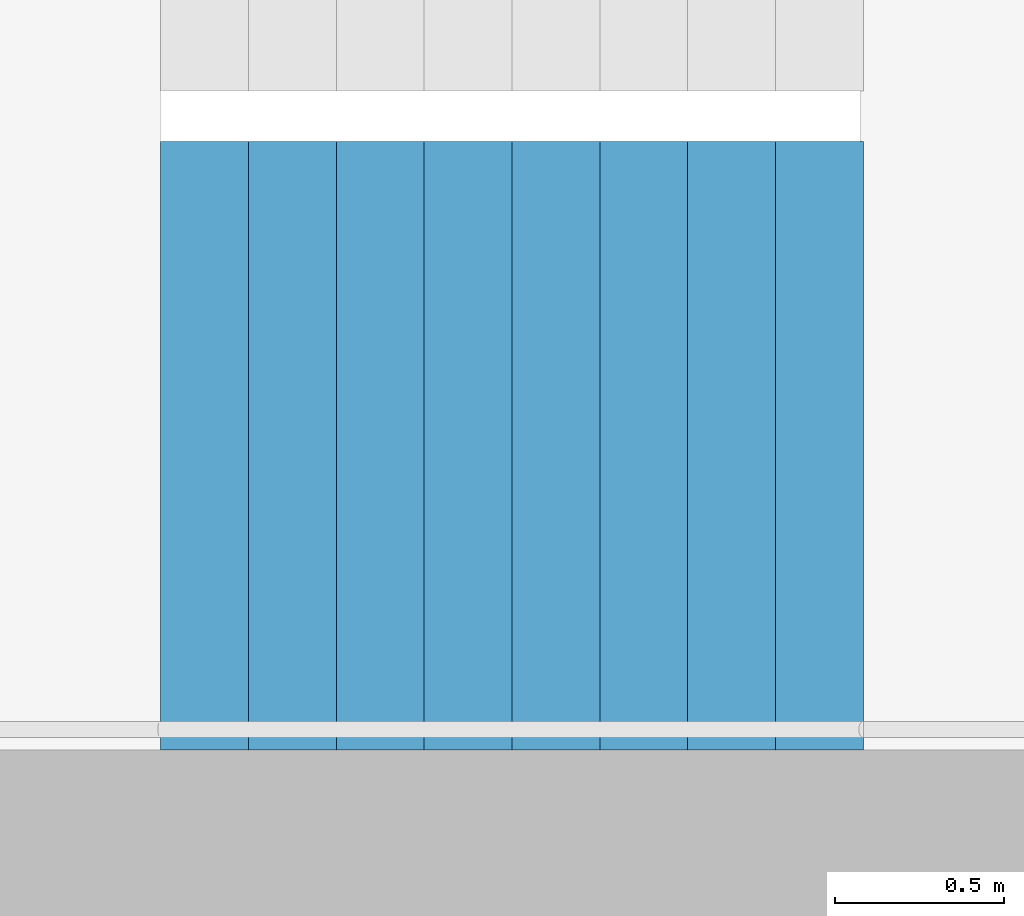
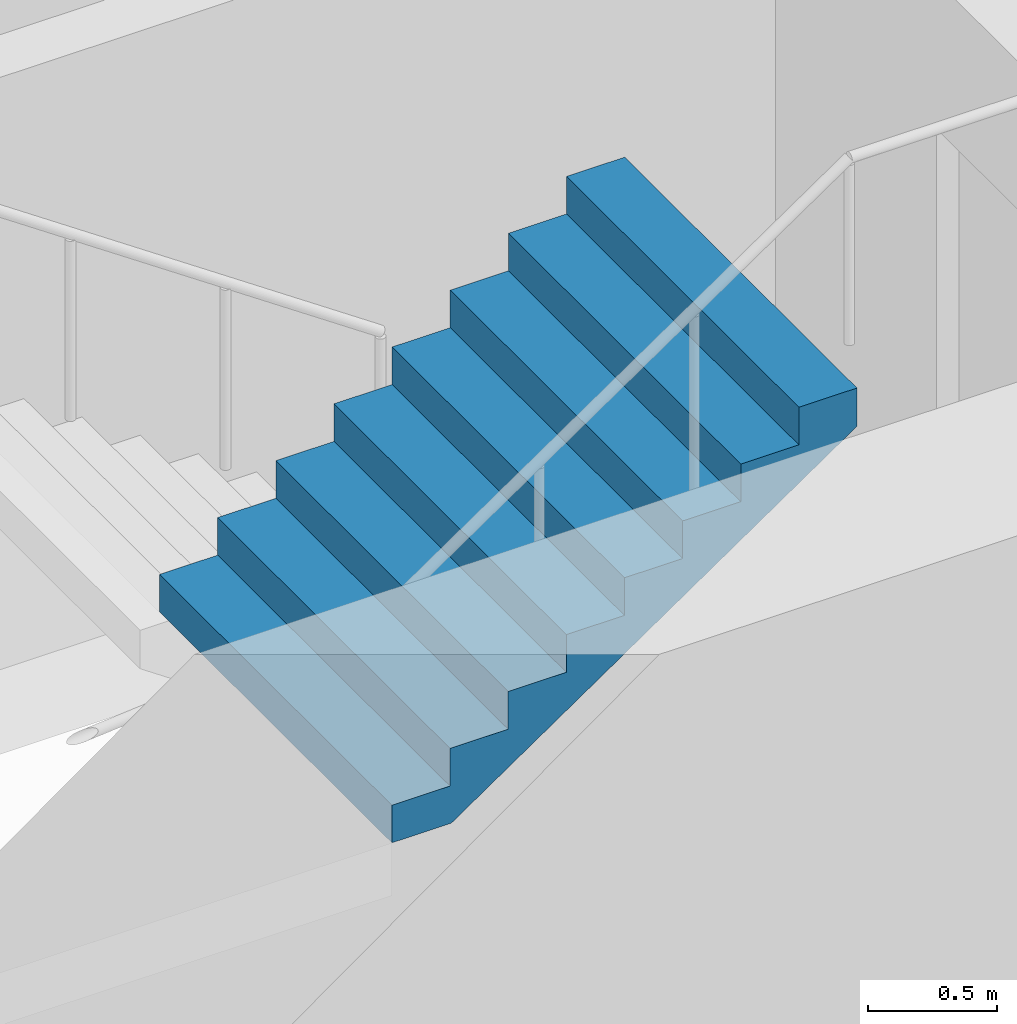
# One storey, part 21 of 29: 1 stair flight, 1 element without a shape of its own.
"""IFC4 building model written with IfcOpenShell, lengths in metres."""

import ifcopenshell
import ifcopenshell.guid

model = None  # the IFC model being written
_history = None  # IfcOwnerHistory: only IFC2X3 demands one
_inside = {}  # id of a spatial element -> (the spatial element, [elements in it])
_under = {}  # id of a project, library or spatial element -> (it, [spatial elements below it])
_declared = {}  # id of a project -> (the project, [libraries it declares])
_typed = {}  # id of a type object -> (the type object, [elements of that type])
_made_of = {}  # id of a material, layer set ... -> (it, [elements and type objects made of it])


def new_model(schema):
    """Start an empty IFC model of exactly this schema.

    Asked for "IFC4X3", IfcOpenShell would pick the latest addendum, in which some entities
    have other attributes; the version numbers below select the first issue.
    IFC2X3 requires an IfcOwnerHistory on every rooted entity: one is made here for all.
    """
    global model, _history
    if schema == "IFC4X3":
        model = ifcopenshell.file(schema_version=(4, 3, 0, 0))
    else:
        model = ifcopenshell.file(schema=schema)
    _inside.clear()
    _under.clear()
    _declared.clear()
    _typed.clear()
    _made_of.clear()
    _history = None
    if model.schema == "IFC2X3":
        org = make("IfcOrganization", Name="unknown")
        user = make(
            "IfcPersonAndOrganization",
            ThePerson=make("IfcPerson", FamilyName="unknown"),
            TheOrganization=org,
        )
        app = make(
            "IfcApplication",
            ApplicationDeveloper=org,
            Version="unknown",
            ApplicationFullName="unknown",
            ApplicationIdentifier="unknown",
        )
        _history = make(
            "IfcOwnerHistory",
            OwningUser=user,
            OwningApplication=app,
            ChangeAction="ADDED",
            CreationDate=0,
        )
    return model


def make(cls, **values):
    """One entity of the class cls with the attributes given. An attribute that is None is left unset."""
    return model.create_entity(
        cls, **{name: value for name, value in values.items() if value is not None}
    )


def rooted(cls, **values):
    """An entity with a GlobalId (a new one), such as an element, a storey or a relation."""
    return make(cls, GlobalId=ifcopenshell.guid.new(), OwnerHistory=_history, **values)


def si_unit(unit_type, name, prefix=None):
    """IfcSIUnit, for example si_unit("LENGTHUNIT", "METRE", prefix="MILLI")."""
    return make("IfcSIUnit", UnitType=unit_type, Prefix=prefix, Name=name)


def assignment(units):
    """IfcUnitAssignment: the units of a project."""
    return None if units is None else make("IfcUnitAssignment", Units=units)


def point(xyz):
    """IfcCartesianPoint."""
    return None if xyz is None else make("IfcCartesianPoint", Coordinates=xyz)


def direction(xyz):
    """IfcDirection."""
    return None if xyz is None else make("IfcDirection", DirectionRatios=xyz)


def frame(location, z_axis=None, x_axis=None):
    """IfcAxis2Placement3D, a coordinate frame: its origin and axes. An axis left out is left unset."""
    return make(
        "IfcAxis2Placement3D",
        Location=point(location),
        Axis=direction(z_axis),
        RefDirection=direction(x_axis),
    )


def origin():
    """The frame at (0, 0, 0) with its axes left unset."""
    return frame((0.0, 0.0, 0.0))


def place(relative_to, where):
    """IfcLocalPlacement: puts the frame where relative to a parent placement (None: the world)."""
    return make(
        "IfcLocalPlacement", PlacementRelTo=relative_to, RelativePlacement=where
    )


def context(
    kind, dimensions, precision=None, world=None, true_north=None, identifier=None
):
    """IfcGeometricRepresentationContext, for example the 3D "Model" context."""
    return make(
        "IfcGeometricRepresentationContext",
        ContextIdentifier=identifier,
        ContextType=kind,
        CoordinateSpaceDimension=dimensions,
        Precision=precision,
        WorldCoordinateSystem=world,
        TrueNorth=true_north,
    )


def subcontext(parent, identifier, kind, view, scale=None):
    """IfcGeometricRepresentationSubContext, for example "Body" below "Model"."""
    return make(
        "IfcGeometricRepresentationSubContext",
        ContextIdentifier=identifier,
        ContextType=kind,
        ParentContext=parent,
        TargetScale=scale,
        TargetView=view,
    )


def project(units=None, contexts=None):
    """IfcProject with its units and contexts."""
    return rooted(
        "IfcProject",
        Name="project",
        RepresentationContexts=contexts,
        UnitsInContext=assignment(units),
    )


def spatial(cls, under=None, at=None, **own):
    """A site, building, storey or space (cls), placed at a placement, below another one or the project."""
    s = rooted(cls, ObjectPlacement=at, **own)
    if under is not None:
        _under.setdefault(under.id(), (under, []))[1].append(s)
    return s


def point_list(points):
    """IfcCartesianPointList2D or 3D."""
    cls = (
        "IfcCartesianPointList2D" if len(points[0]) == 2 else "IfcCartesianPointList3D"
    )
    return make(cls, CoordList=points)


def triangles(points, corners, closed=None, point_numbers=None):
    """IfcTriangulatedFaceSet: each triangle names its three corners, points numbered from 1."""
    return make(
        "IfcTriangulatedFaceSet",
        Coordinates=point_list(points),
        Closed=closed,
        CoordIndex=corners,
        PnIndex=point_numbers,
    )


def shape(context_of_items, identifier, shape_type, items):
    """IfcShapeRepresentation: the items that make up one representation, for example the "Body"."""
    return make(
        "IfcShapeRepresentation",
        ContextOfItems=context_of_items,
        RepresentationIdentifier=identifier,
        RepresentationType=shape_type,
        Items=items,
    )


def material(Name=None, Category=None):
    """IfcMaterial."""
    return make("IfcMaterial", Name=Name, Category=Category)


def made_of(thing, what):
    """Note that an element or type object is made of a material, layer set ...; save() writes the relation."""
    if what is not None:
        _made_of.setdefault(what.id(), (what, []))[1].append(thing)
    return thing


def type_object(cls, material=None, **own):
    """A type object (cls), such as IfcWallType, which elements share."""
    return made_of(rooted(cls, **own), material)


def element(
    cls,
    number,
    at=None,
    inside=None,
    cuts=None,
    type_object=None,
    material=None,
    context=None,
    identifier="Body",
    shape_type=None,
    held_by="IfcProductDefinitionShape",
    body=None,
    shapes=None,
    **own,
):
    """One element of the class cls, such as IfcWall. Its Tag is "e" and its number.

    at: its placement. inside: the storey or other place that contains it. cuts: it is an
    opening in that element (IfcRelVoidsElement). A single representation is given by context,
    identifier, shape_type and body (its items); several are given by shapes. held_by: the class
    of the entity that holds the representations. save() writes the other relations.
    """
    e = rooted(cls, Tag="e%d" % number, ObjectPlacement=at, **own)
    if body is not None:
        shapes = [shape(context, identifier, shape_type, body)]
    if shapes is not None:
        e.Representation = make(held_by, Representations=shapes)
    if inside is not None:
        _inside.setdefault(inside.id(), (inside, []))[1].append(e)
    if cuts is not None:
        rooted(
            "IfcRelVoidsElement", RelatingBuildingElement=cuts, RelatedOpeningElement=e
        )
    if type_object is not None:
        _typed.setdefault(type_object.id(), (type_object, []))[1].append(e)
    return made_of(e, material)


def aggregate(whole, parts):
    """IfcRelAggregates: a whole, such as a stair, and the parts it consists of."""
    return rooted("IfcRelAggregates", RelatingObject=whole, RelatedObjects=parts)


def save(model, path):
    """Write the relations noted so far, then the file.

    IfcRelAggregates (storeys below a building ...), IfcRelContainedInSpatialStructure (elements
    in a storey), IfcRelDefinesByType, IfcRelAssociatesMaterial and IfcRelDeclares: one each for
    every whole, place, type object, material and project.
    """
    for whole, parts in _under.values():
        aggregate(whole, parts)
    for where, things in _inside.values():
        rooted(
            "IfcRelContainedInSpatialStructure",
            RelatedElements=things,
            RelatingStructure=where,
        )
    for kind, things in _typed.values():
        rooted("IfcRelDefinesByType", RelatedObjects=things, RelatingType=kind)
    for what, things in _made_of.values():
        rooted("IfcRelAssociatesMaterial", RelatedObjects=things, RelatingMaterial=what)
    for by, libraries in _declared.values():
        rooted("IfcRelDeclares", RelatingContext=by, RelatedDefinitions=libraries)
    model.write(path)


model = new_model("IFC4")

# Units and contexts
model_context = context("Model", 3, precision=1e-05, world=origin(), true_north=direction((0.0, 1.0)))
body_context = subcontext(model_context, "Body", "Model", "MODEL_VIEW")
ifc_project = project(units=[si_unit("LENGTHUNIT", "METRE"), si_unit("AREAUNIT", "SQUARE_METRE"), si_unit("VOLUMEUNIT", "CUBIC_METRE"), si_unit("PLANEANGLEUNIT", "RADIAN"), si_unit("MASSUNIT", "GRAM", prefix="KILO")], contexts=[model_context])

# Site, building, storey
site_placement = place(None, origin())
site = spatial("IfcSite", under=ifc_project, at=site_placement, CompositionType="ELEMENT")
building_placement = place(site_placement, origin())
building = spatial("IfcBuilding", under=site, at=building_placement, Name="Hakoniwa Tower and Hamabe Station Hall", CompositionType="ELEMENT")
storey_placement = place(building_placement, frame((0.0, 0.0, 78.60009765625)))
storey = spatial("IfcBuildingStorey", under=building, at=storey_placement, Name="L21", CompositionType="ELEMENT", Elevation=78.60009765625)

# Stair, stair flight
ifc_material_1 = material(Name="Concrete C40", Category="concrete")
stair_type = type_object("IfcStairType", Name="ESCAPE STAIR 1800", PredefinedType="HALF_TURN_STAIR", material=ifc_material_1)
stair_placement = place(storey_placement, origin())
stair = element("IfcStair", 1, at=stair_placement, inside=storey, type_object=stair_type, Name="Escape stair ST-2 L21", PredefinedType="HALF_TURN_STAIR")
ifc_material_2 = material(Name="Concrete C40", Category="concrete")
stair_flight_type = type_object("IfcStairFlightType", Name="STAIR FLIGHT 1800", PredefinedType="STRAIGHT", material=ifc_material_2)
stair_flight_placement = place(storey_placement, frame((-25.47998046875, -6.60009765625, 1.599853515625), z_axis=(0.0, 0.0, 1.0), x_axis=(1.0, 0.0, 0.0)))
stair_flight = element("IfcStairFlight", 2, at=stair_flight_placement, type_object=stair_flight_type, Name="ST-2 flight 2", NumberOfRisers=9, NumberOfTreads=8, PredefinedType="STRAIGHT", RiserHeight=0.177777778, TreadLength=0.26, context=body_context, shape_type="Tessellation", body=[
    triangles([(0.0, 0.89990234375, 0.0), (0.260009765625, 0.89990234375, 0.0), (0.265625, 0.89990234375, 0.0), (0.52001953125, 0.89990234375, 0.174072265625), (0.780029296875, 0.89990234375, 0.351806640625), (1.0400390625, 0.89990234375, 0.529541015625), (1.300048828125, 0.89990234375, 0.707275390625), (1.56005859375, 0.89990234375, 0.885009765625), (1.820068359375, 0.89990234375, 1.062744140625), (2.080078125, 0.89990234375, 1.24072265625), (2.080078125, 0.89990234375, 1.422119140625), (1.820068359375, 0.89990234375, 1.422119140625), (1.820068359375, 0.89990234375, 1.244384765625), (1.56005859375, 0.89990234375, 1.244384765625), (1.56005859375, 0.89990234375, 1.066650390625), (1.300048828125, 0.89990234375, 1.066650390625), (1.300048828125, 0.89990234375, 0.888916015625), (1.0400390625, 0.89990234375, 0.888916015625), (1.0400390625, 0.89990234375, 0.711181640625), (0.780029296875, 0.89990234375, 0.711181640625), (0.780029296875, 0.89990234375, 0.533447265625), (0.52001953125, 0.89990234375, 0.533447265625), (0.52001953125, 0.89990234375, 0.35546875), (0.265625, 0.89990234375, 0.35546875), (0.260009765625, 0.89990234375, 0.35546875), (0.260009765625, 0.89990234375, 0.177734375), (0.0, 0.89990234375, 0.177734375), (0.0, 0.06005859375, 0.0), (0.260009765625, 0.06005859375, 0.0), (0.265625, 0.06005859375, 0.0), (0.52001953125, 0.06005859375, 0.174072265625), (0.780029296875, 0.06005859375, 0.351806640625), (1.0400390625, 0.06005859375, 0.529541015625), (1.300048828125, 0.06005859375, 0.707275390625), (1.56005859375, 0.06005859375, 0.885009765625), (1.820068359375, 0.06005859375, 1.062744140625), (2.080078125, 0.06005859375, 1.24072265625), (2.080078125, 0.06005859375, 1.422119140625), (1.820068359375, 0.06005859375, 1.422119140625), (1.820068359375, 0.06005859375, 1.244384765625), (1.56005859375, 0.06005859375, 1.244384765625), (1.56005859375, 0.06005859375, 1.066650390625), (1.300048828125, 0.06005859375, 1.066650390625), (1.300048828125, 0.06005859375, 0.888916015625), (1.0400390625, 0.06005859375, 0.888916015625), (1.0400390625, 0.06005859375, 0.711181640625), (0.780029296875, 0.06005859375, 0.711181640625), (0.780029296875, 0.06005859375, 0.533447265625), (0.52001953125, 0.06005859375, 0.533447265625), (0.52001953125, 0.06005859375, 0.35546875), (0.265625, 0.06005859375, 0.35546875), (0.260009765625, 0.06005859375, 0.35546875), (0.260009765625, 0.06005859375, 0.177734375), (0.0, 0.06005859375, 0.177734375), (0.0, 0.04296875, 0.0), (0.260009765625, 0.04296875, 0.0), (0.265625, 0.04296875, 0.0), (0.52001953125, 0.04296875, 0.174072265625), (0.780029296875, 0.04296875, 0.351806640625), (1.0400390625, 0.04296875, 0.529541015625), (1.300048828125, 0.04296875, 0.707275390625), (1.56005859375, 0.04296875, 0.885009765625), (1.820068359375, 0.04296875, 1.062744140625), (2.080078125, 0.04296875, 1.24072265625), (2.080078125, 0.04296875, 1.422119140625), (1.820068359375, 0.04296875, 1.422119140625), (1.820068359375, 0.04296875, 1.244384765625), (1.56005859375, 0.04296875, 1.244384765625), (1.56005859375, 0.04296875, 1.066650390625), (1.300048828125, 0.04296875, 1.066650390625), (1.300048828125, 0.04296875, 0.888916015625), (1.0400390625, 0.04296875, 0.888916015625), (1.0400390625, 0.04296875, 0.711181640625), (0.780029296875, 0.04296875, 0.711181640625), (0.780029296875, 0.04296875, 0.533447265625), (0.52001953125, 0.04296875, 0.533447265625), (0.52001953125, 0.04296875, 0.35546875), (0.265625, 0.04296875, 0.35546875), (0.260009765625, 0.04296875, 0.35546875), (0.260009765625, 0.04296875, 0.177734375), (0.0, 0.04296875, 0.177734375), (0.0, 0.025634765625, 0.0), (0.260009765625, 0.025634765625, 0.0), (0.265625, 0.025634765625, 0.0), (0.52001953125, 0.025634765625, 0.174072265625), (0.780029296875, 0.025634765625, 0.351806640625), (1.0400390625, 0.025634765625, 0.529541015625), (1.300048828125, 0.025634765625, 0.707275390625), (1.56005859375, 0.025634765625, 0.885009765625), (1.820068359375, 0.025634765625, 1.062744140625), (2.080078125, 0.025634765625, 1.24072265625), (2.080078125, 0.025634765625, 1.422119140625), (1.820068359375, 0.025634765625, 1.422119140625), (1.820068359375, 0.025634765625, 1.244384765625), (1.56005859375, 0.025634765625, 1.244384765625), (1.56005859375, 0.025634765625, 1.066650390625), (1.300048828125, 0.025634765625, 1.066650390625), (1.300048828125, 0.025634765625, 0.888916015625), (1.0400390625, 0.025634765625, 0.888916015625), (1.0400390625, 0.025634765625, 0.711181640625), (0.780029296875, 0.025634765625, 0.711181640625), (0.780029296875, 0.025634765625, 0.533447265625), (0.52001953125, 0.025634765625, 0.533447265625), (0.52001953125, 0.025634765625, 0.35546875), (0.265625, 0.025634765625, 0.35546875), (0.260009765625, 0.025634765625, 0.35546875), (0.260009765625, 0.025634765625, 0.177734375), (0.0, 0.025634765625, 0.177734375), (0.0, 0.008544921875, 0.0), (0.260009765625, 0.008544921875, 0.0), (0.265625, 0.008544921875, 0.0), (0.52001953125, 0.008544921875, 0.174072265625), (0.780029296875, 0.008544921875, 0.351806640625), (1.0400390625, 0.008544921875, 0.529541015625), (1.300048828125, 0.008544921875, 0.707275390625), (1.56005859375, 0.008544921875, 0.885009765625), (1.820068359375, 0.008544921875, 1.062744140625), (2.080078125, 0.008544921875, 1.24072265625), (2.080078125, 0.008544921875, 1.422119140625), (1.820068359375, 0.008544921875, 1.422119140625), (1.820068359375, 0.008544921875, 1.244384765625), (1.56005859375, 0.008544921875, 1.244384765625), (1.56005859375, 0.008544921875, 1.066650390625), (1.300048828125, 0.008544921875, 1.066650390625), (1.300048828125, 0.008544921875, 0.888916015625), (1.0400390625, 0.008544921875, 0.888916015625), (1.0400390625, 0.008544921875, 0.711181640625), (0.780029296875, 0.008544921875, 0.711181640625), (0.780029296875, 0.008544921875, 0.533447265625), (0.52001953125, 0.008544921875, 0.533447265625), (0.52001953125, 0.008544921875, 0.35546875), (0.265625, 0.008544921875, 0.35546875), (0.260009765625, 0.008544921875, 0.35546875), (0.260009765625, 0.008544921875, 0.177734375), (0.0, 0.008544921875, 0.177734375), (0.0, -0.008544921875, 0.0), (0.260009765625, -0.008544921875, 0.0), (0.265625, -0.008544921875, 0.0), (0.52001953125, -0.008544921875, 0.174072265625), (0.780029296875, -0.008544921875, 0.351806640625), (1.0400390625, -0.008544921875, 0.529541015625), (1.300048828125, -0.008544921875, 0.707275390625), (1.56005859375, -0.008544921875, 0.885009765625), (1.820068359375, -0.008544921875, 1.062744140625), (2.080078125, -0.008544921875, 1.24072265625), (2.080078125, -0.008544921875, 1.422119140625), (1.820068359375, -0.008544921875, 1.422119140625), (1.820068359375, -0.008544921875, 1.244384765625), (1.56005859375, -0.008544921875, 1.244384765625), (1.56005859375, -0.008544921875, 1.066650390625), (1.300048828125, -0.008544921875, 1.066650390625), (1.300048828125, -0.008544921875, 0.888916015625), (1.0400390625, -0.008544921875, 0.888916015625), (1.0400390625, -0.008544921875, 0.711181640625), (0.780029296875, -0.008544921875, 0.711181640625), (0.780029296875, -0.008544921875, 0.533447265625), (0.52001953125, -0.008544921875, 0.533447265625), (0.52001953125, -0.008544921875, 0.35546875), (0.265625, -0.008544921875, 0.35546875), (0.260009765625, -0.008544921875, 0.35546875), (0.260009765625, -0.008544921875, 0.177734375), (0.0, -0.008544921875, 0.177734375), (0.0, -0.025634765625, 0.0), (0.260009765625, -0.025634765625, 0.0), (0.265625, -0.025634765625, 0.0), (0.52001953125, -0.025634765625, 0.174072265625), (0.780029296875, -0.025634765625, 0.351806640625), (1.0400390625, -0.025634765625, 0.529541015625), (1.300048828125, -0.025634765625, 0.707275390625), (1.56005859375, -0.025634765625, 0.885009765625), (1.820068359375, -0.025634765625, 1.062744140625), (2.080078125, -0.025634765625, 1.24072265625), (2.080078125, -0.025634765625, 1.422119140625), (1.820068359375, -0.025634765625, 1.422119140625), (1.820068359375, -0.025634765625, 1.244384765625), (1.56005859375, -0.025634765625, 1.244384765625), (1.56005859375, -0.025634765625, 1.066650390625), (1.300048828125, -0.025634765625, 1.066650390625), (1.300048828125, -0.025634765625, 0.888916015625), (1.0400390625, -0.025634765625, 0.888916015625), (1.0400390625, -0.025634765625, 0.711181640625), (0.780029296875, -0.025634765625, 0.711181640625), (0.780029296875, -0.025634765625, 0.533447265625), (0.52001953125, -0.025634765625, 0.533447265625), (0.52001953125, -0.025634765625, 0.35546875), (0.265625, -0.025634765625, 0.35546875), (0.260009765625, -0.025634765625, 0.35546875), (0.260009765625, -0.025634765625, 0.177734375), (0.0, -0.025634765625, 0.177734375), (0.0, -0.04296875, 0.0), (0.260009765625, -0.04296875, 0.0), (0.265625, -0.04296875, 0.0), (0.52001953125, -0.04296875, 0.174072265625), (0.780029296875, -0.04296875, 0.351806640625), (1.0400390625, -0.04296875, 0.529541015625), (1.300048828125, -0.04296875, 0.707275390625), (1.56005859375, -0.04296875, 0.885009765625), (1.820068359375, -0.04296875, 1.062744140625), (2.080078125, -0.04296875, 1.24072265625), (2.080078125, -0.04296875, 1.422119140625), (1.820068359375, -0.04296875, 1.422119140625), (1.820068359375, -0.04296875, 1.244384765625), (1.56005859375, -0.04296875, 1.244384765625), (1.56005859375, -0.04296875, 1.066650390625), (1.300048828125, -0.04296875, 1.066650390625), (1.300048828125, -0.04296875, 0.888916015625), (1.0400390625, -0.04296875, 0.888916015625), (1.0400390625, -0.04296875, 0.711181640625), (0.780029296875, -0.04296875, 0.711181640625), (0.780029296875, -0.04296875, 0.533447265625), (0.52001953125, -0.04296875, 0.533447265625), (0.52001953125, -0.04296875, 0.35546875), (0.265625, -0.04296875, 0.35546875), (0.260009765625, -0.04296875, 0.35546875), (0.260009765625, -0.04296875, 0.177734375), (0.0, -0.04296875, 0.177734375), (0.0, -0.06005859375, 0.0), (0.260009765625, -0.06005859375, 0.0), (0.265625, -0.06005859375, 0.0), (0.52001953125, -0.06005859375, 0.174072265625), (0.780029296875, -0.06005859375, 0.351806640625), (1.0400390625, -0.06005859375, 0.529541015625), (1.300048828125, -0.06005859375, 0.707275390625), (1.56005859375, -0.06005859375, 0.885009765625), (1.820068359375, -0.06005859375, 1.062744140625), (2.080078125, -0.06005859375, 1.24072265625), (2.080078125, -0.06005859375, 1.422119140625), (1.820068359375, -0.06005859375, 1.422119140625), (1.820068359375, -0.06005859375, 1.244384765625), (1.56005859375, -0.06005859375, 1.244384765625), (1.56005859375, -0.06005859375, 1.066650390625), (1.300048828125, -0.06005859375, 1.066650390625), (1.300048828125, -0.06005859375, 0.888916015625), (1.0400390625, -0.06005859375, 0.888916015625), (1.0400390625, -0.06005859375, 0.711181640625), (0.780029296875, -0.06005859375, 0.711181640625), (0.780029296875, -0.06005859375, 0.533447265625), (0.52001953125, -0.06005859375, 0.533447265625), (0.52001953125, -0.06005859375, 0.35546875), (0.265625, -0.06005859375, 0.35546875), (0.260009765625, -0.06005859375, 0.35546875), (0.260009765625, -0.06005859375, 0.177734375), (0.0, -0.06005859375, 0.177734375), (0.0, -0.89990234375, 0.0), (0.260009765625, -0.89990234375, 0.0), (0.265625, -0.89990234375, 0.0), (0.52001953125, -0.89990234375, 0.174072265625), (0.780029296875, -0.89990234375, 0.351806640625), (1.0400390625, -0.89990234375, 0.529541015625), (1.300048828125, -0.89990234375, 0.707275390625), (1.56005859375, -0.89990234375, 0.885009765625), (1.820068359375, -0.89990234375, 1.062744140625), (2.080078125, -0.89990234375, 1.24072265625), (2.080078125, -0.89990234375, 1.422119140625), (1.820068359375, -0.89990234375, 1.422119140625), (1.820068359375, -0.89990234375, 1.244384765625), (1.56005859375, -0.89990234375, 1.244384765625), (1.56005859375, -0.89990234375, 1.066650390625), (1.300048828125, -0.89990234375, 1.066650390625), (1.300048828125, -0.89990234375, 0.888916015625), (1.0400390625, -0.89990234375, 0.888916015625), (1.0400390625, -0.89990234375, 0.711181640625), (0.780029296875, -0.89990234375, 0.711181640625), (0.780029296875, -0.89990234375, 0.533447265625), (0.52001953125, -0.89990234375, 0.533447265625), (0.52001953125, -0.89990234375, 0.35546875), (0.265625, -0.89990234375, 0.35546875), (0.260009765625, -0.89990234375, 0.35546875), (0.260009765625, -0.89990234375, 0.177734375), (0.0, -0.89990234375, 0.177734375)], [[2, 27, 26], [245, 269, 270], [2, 1, 27], [245, 270, 244], [3, 25, 24], [246, 267, 268], [3, 26, 25], [246, 268, 269], [3, 2, 26], [246, 269, 245], [4, 24, 23], [247, 266, 267], [4, 3, 24], [247, 267, 246], [5, 22, 21], [248, 264, 265], [5, 23, 22], [248, 265, 266], [5, 4, 23], [248, 266, 247], [6, 20, 19], [249, 262, 263], [6, 21, 20], [249, 263, 264], [6, 5, 21], [249, 264, 248], [7, 18, 17], [250, 260, 261], [7, 19, 18], [250, 261, 262], [7, 6, 19], [250, 262, 249], [8, 16, 15], [251, 258, 259], [8, 17, 16], [251, 259, 260], [8, 7, 17], [251, 260, 250], [9, 14, 13], [252, 256, 257], [9, 15, 14], [252, 257, 258], [9, 8, 15], [252, 258, 251], [10, 12, 11], [253, 254, 255], [10, 13, 12], [253, 255, 256], [10, 9, 13], [253, 256, 252], [1, 2, 29], [1, 29, 28], [28, 29, 56], [28, 56, 55], [55, 56, 83], [55, 83, 82], [82, 83, 110], [82, 110, 109], [109, 110, 137], [109, 137, 136], [136, 137, 164], [136, 164, 163], [163, 164, 191], [163, 191, 190], [190, 191, 218], [190, 218, 217], [217, 218, 245], [217, 245, 244], [2, 3, 30], [2, 30, 29], [29, 30, 57], [29, 57, 56], [56, 57, 84], [56, 84, 83], [83, 84, 111], [83, 111, 110], [110, 111, 138], [110, 138, 137], [137, 138, 165], [137, 165, 164], [164, 165, 192], [164, 192, 191], [191, 192, 219], [191, 219, 218], [218, 219, 246], [218, 246, 245], [3, 4, 31], [3, 31, 30], [30, 31, 58], [30, 58, 57], [57, 58, 85], [57, 85, 84], [84, 85, 112], [84, 112, 111], [111, 112, 139], [111, 139, 138], [138, 139, 166], [138, 166, 165], [165, 166, 193], [165, 193, 192], [192, 193, 220], [192, 220, 219], [219, 220, 247], [219, 247, 246], [4, 5, 32], [4, 32, 31], [31, 32, 59], [31, 59, 58], [58, 59, 86], [58, 86, 85], [85, 86, 113], [85, 113, 112], [112, 113, 140], [112, 140, 139], [139, 140, 167], [139, 167, 166], [166, 167, 194], [166, 194, 193], [193, 194, 221], [193, 221, 220], [220, 221, 248], [220, 248, 247], [5, 6, 33], [5, 33, 32], [32, 33, 60], [32, 60, 59], [59, 60, 87], [59, 87, 86], [86, 87, 114], [86, 114, 113], [113, 114, 141], [113, 141, 140], [140, 141, 168], [140, 168, 167], [167, 168, 195], [167, 195, 194], [194, 195, 222], [194, 222, 221], [221, 222, 249], [221, 249, 248], [6, 7, 34], [6, 34, 33], [33, 34, 61], [33, 61, 60], [60, 61, 88], [60, 88, 87], [87, 88, 115], [87, 115, 114], [114, 115, 142], [114, 142, 141], [141, 142, 169], [141, 169, 168], [168, 169, 196], [168, 196, 195], [195, 196, 223], [195, 223, 222], [222, 223, 250], [222, 250, 249], [7, 8, 35], [7, 35, 34], [34, 35, 62], [34, 62, 61], [61, 62, 89], [61, 89, 88], [88, 89, 116], [88, 116, 115], [115, 116, 143], [115, 143, 142], [142, 143, 170], [142, 170, 169], [169, 170, 197], [169, 197, 196], [196, 197, 224], [196, 224, 223], [223, 224, 251], [223, 251, 250], [8, 9, 36], [8, 36, 35], [35, 36, 63], [35, 63, 62], [62, 63, 90], [62, 90, 89], [89, 90, 117], [89, 117, 116], [116, 117, 144], [116, 144, 143], [143, 144, 171], [143, 171, 170], [170, 171, 198], [170, 198, 197], [197, 198, 225], [197, 225, 224], [224, 225, 252], [224, 252, 251], [9, 10, 37], [9, 37, 36], [36, 37, 64], [36, 64, 63], [63, 64, 91], [63, 91, 90], [90, 91, 118], [90, 118, 117], [117, 118, 145], [117, 145, 144], [144, 145, 172], [144, 172, 171], [171, 172, 199], [171, 199, 198], [198, 199, 226], [198, 226, 225], [225, 226, 253], [225, 253, 252], [10, 11, 38], [10, 38, 37], [37, 38, 65], [37, 65, 64], [64, 65, 92], [64, 92, 91], [91, 92, 119], [91, 119, 118], [118, 119, 146], [118, 146, 145], [145, 146, 173], [145, 173, 172], [172, 173, 200], [172, 200, 199], [199, 200, 227], [199, 227, 226], [226, 227, 254], [226, 254, 253], [11, 12, 39], [11, 39, 38], [38, 39, 66], [38, 66, 65], [65, 66, 93], [65, 93, 92], [92, 93, 120], [92, 120, 119], [119, 120, 147], [119, 147, 146], [146, 147, 174], [146, 174, 173], [173, 174, 201], [173, 201, 200], [200, 201, 228], [200, 228, 227], [227, 228, 255], [227, 255, 254], [12, 13, 40], [12, 40, 39], [39, 40, 67], [39, 67, 66], [66, 67, 94], [66, 94, 93], [93, 94, 121], [93, 121, 120], [120, 121, 148], [120, 148, 147], [147, 148, 175], [147, 175, 174], [174, 175, 202], [174, 202, 201], [201, 202, 229], [201, 229, 228], [228, 229, 256], [228, 256, 255], [13, 14, 41], [13, 41, 40], [40, 41, 68], [40, 68, 67], [67, 68, 95], [67, 95, 94], [94, 95, 122], [94, 122, 121], [121, 122, 149], [121, 149, 148], [148, 149, 176], [148, 176, 175], [175, 176, 203], [175, 203, 202], [202, 203, 230], [202, 230, 229], [229, 230, 257], [229, 257, 256], [14, 15, 42], [14, 42, 41], [41, 42, 69], [41, 69, 68], [68, 69, 96], [68, 96, 95], [95, 96, 123], [95, 123, 122], [122, 123, 150], [122, 150, 149], [149, 150, 177], [149, 177, 176], [176, 177, 204], [176, 204, 203], [203, 204, 231], [203, 231, 230], [230, 231, 258], [230, 258, 257], [15, 16, 43], [15, 43, 42], [42, 43, 70], [42, 70, 69], [69, 70, 97], [69, 97, 96], [96, 97, 124], [96, 124, 123], [123, 124, 151], [123, 151, 150], [150, 151, 178], [150, 178, 177], [177, 178, 205], [177, 205, 204], [204, 205, 232], [204, 232, 231], [231, 232, 259], [231, 259, 258], [16, 17, 44], [16, 44, 43], [43, 44, 71], [43, 71, 70], [70, 71, 98], [70, 98, 97], [97, 98, 125], [97, 125, 124], [124, 125, 152], [124, 152, 151], [151, 152, 179], [151, 179, 178], [178, 179, 206], [178, 206, 205], [205, 206, 233], [205, 233, 232], [232, 233, 260], [232, 260, 259], [17, 18, 45], [17, 45, 44], [44, 45, 72], [44, 72, 71], [71, 72, 99], [71, 99, 98], [98, 99, 126], [98, 126, 125], [125, 126, 153], [125, 153, 152], [152, 153, 180], [152, 180, 179], [179, 180, 207], [179, 207, 206], [206, 207, 234], [206, 234, 233], [233, 234, 261], [233, 261, 260], [18, 19, 46], [18, 46, 45], [45, 46, 73], [45, 73, 72], [72, 73, 100], [72, 100, 99], [99, 100, 127], [99, 127, 126], [126, 127, 154], [126, 154, 153], [153, 154, 181], [153, 181, 180], [180, 181, 208], [180, 208, 207], [207, 208, 235], [207, 235, 234], [234, 235, 262], [234, 262, 261], [19, 20, 47], [19, 47, 46], [46, 47, 74], [46, 74, 73], [73, 74, 101], [73, 101, 100], [100, 101, 128], [100, 128, 127], [127, 128, 155], [127, 155, 154], [154, 155, 182], [154, 182, 181], [181, 182, 209], [181, 209, 208], [208, 209, 236], [208, 236, 235], [235, 236, 263], [235, 263, 262], [20, 21, 48], [20, 48, 47], [47, 48, 75], [47, 75, 74], [74, 75, 102], [74, 102, 101], [101, 102, 129], [101, 129, 128], [128, 129, 156], [128, 156, 155], [155, 156, 183], [155, 183, 182], [182, 183, 210], [182, 210, 209], [209, 210, 237], [209, 237, 236], [236, 237, 264], [236, 264, 263], [21, 22, 49], [21, 49, 48], [48, 49, 76], [48, 76, 75], [75, 76, 103], [75, 103, 102], [102, 103, 130], [102, 130, 129], [129, 130, 157], [129, 157, 156], [156, 157, 184], [156, 184, 183], [183, 184, 211], [183, 211, 210], [210, 211, 238], [210, 238, 237], [237, 238, 265], [237, 265, 264], [22, 23, 50], [22, 50, 49], [49, 50, 77], [49, 77, 76], [76, 77, 104], [76, 104, 103], [103, 104, 131], [103, 131, 130], [130, 131, 158], [130, 158, 157], [157, 158, 185], [157, 185, 184], [184, 185, 212], [184, 212, 211], [211, 212, 239], [211, 239, 238], [238, 239, 266], [238, 266, 265], [23, 24, 51], [23, 51, 50], [50, 51, 78], [50, 78, 77], [77, 78, 105], [77, 105, 104], [104, 105, 132], [104, 132, 131], [131, 132, 159], [131, 159, 158], [158, 159, 186], [158, 186, 185], [185, 186, 213], [185, 213, 212], [212, 213, 240], [212, 240, 239], [239, 240, 267], [239, 267, 266], [24, 25, 52], [24, 52, 51], [51, 52, 79], [51, 79, 78], [78, 79, 106], [78, 106, 105], [105, 106, 133], [105, 133, 132], [132, 133, 160], [132, 160, 159], [159, 160, 187], [159, 187, 186], [186, 187, 214], [186, 214, 213], [213, 214, 241], [213, 241, 240], [240, 241, 268], [240, 268, 267], [25, 26, 53], [25, 53, 52], [52, 53, 80], [52, 80, 79], [79, 80, 107], [79, 107, 106], [106, 107, 134], [106, 134, 133], [133, 134, 161], [133, 161, 160], [160, 161, 188], [160, 188, 187], [187, 188, 215], [187, 215, 214], [214, 215, 242], [214, 242, 241], [241, 242, 269], [241, 269, 268], [26, 27, 54], [26, 54, 53], [53, 54, 81], [53, 81, 80], [80, 81, 108], [80, 108, 107], [107, 108, 135], [107, 135, 134], [134, 135, 162], [134, 162, 161], [161, 162, 189], [161, 189, 188], [188, 189, 216], [188, 216, 215], [215, 216, 243], [215, 243, 242], [242, 243, 270], [242, 270, 269], [27, 1, 28], [27, 28, 54], [54, 28, 55], [54, 55, 81], [81, 55, 82], [81, 82, 108], [108, 82, 109], [108, 109, 135], [135, 109, 136], [135, 136, 162], [162, 136, 163], [162, 163, 189], [189, 163, 190], [189, 190, 216], [216, 190, 217], [216, 217, 243], [243, 217, 244], [243, 244, 270]], closed=True),
])
aggregate(stair, [stair_flight])

save(model, "model.ifc")
